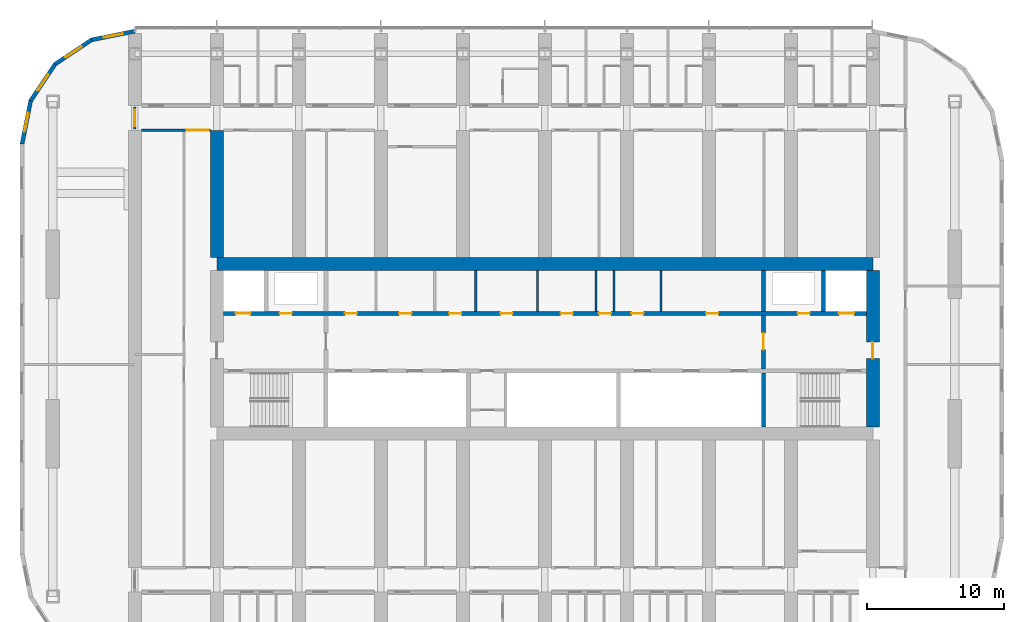
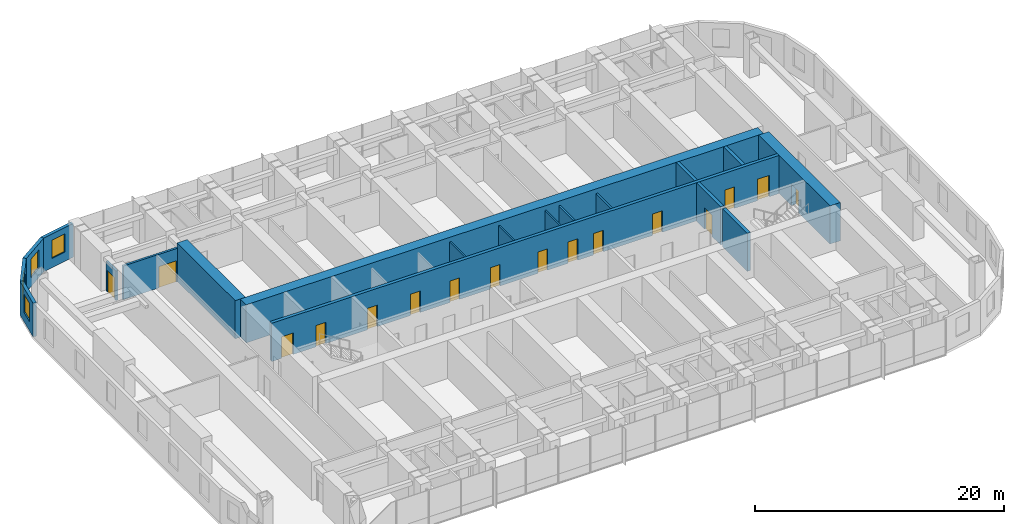
# One storey, part 12 of 21: 19 walls, 16 doors, 4 windows, 20 openings.
"""IFC4 building model written with IfcOpenShell, lengths in metres."""

from ifc_helpers import new_model, si_unit, direction, frame, frame_2d, origin, place, context, subcontext, project, spatial, polyline, rectangle, outline, extrude, material, layer, layer_set, type_object, element, fill, save


model = new_model("IFC4")

# Units and contexts
model_context = context("Model", 3, precision=1e-05, world=origin(), true_north=direction((0.0, 1.0)))
body_context = subcontext(model_context, "Body", "Model", "MODEL_VIEW")
ifc_project = project(units=[si_unit("LENGTHUNIT", "METRE"), si_unit("AREAUNIT", "SQUARE_METRE"), si_unit("VOLUMEUNIT", "CUBIC_METRE"), si_unit("PLANEANGLEUNIT", "RADIAN"), si_unit("MASSUNIT", "GRAM", prefix="KILO")], contexts=[model_context])

# Site, building, storey
site_placement = place(None, origin())
site = spatial("IfcSite", under=ifc_project, at=site_placement, CompositionType="ELEMENT")
building_placement = place(site_placement, origin())
building = spatial("IfcBuilding", under=site, at=building_placement, Name="Orbita Commons", CompositionType="ELEMENT")
storey_placement = place(building_placement, frame((0.0, 0.0, 110.64990234375)))
storey = spatial("IfcBuildingStorey", under=building, at=storey_placement, Name="L27", CompositionType="ELEMENT", Elevation=110.64990234375)

# Wall, openings, doors
ifc_material_1 = material(Name="Concrete C50/60", Category="concrete")
ifc_layer_1 = layer(ifc_material_1, 0.300048828125)
ifc_layer_set_1 = layer_set([ifc_layer_1], Name="Concrete C50/60")
wall_type_1 = type_object("IfcWallType", Name="Core inner wall 300 C50/60", PredefinedType="SHEAR", material=ifc_layer_set_1)
wall_1_placement = place(storey_placement, frame((18.47509765625, 34.60009765625, 0.0), z_axis=(0.0, 0.0, 1.0), x_axis=(1.0, 0.0, 0.0)))
wall_1 = element("IfcWall", 1, at=wall_1_placement, inside=storey, type_object=wall_type_1, Name="Lobby wall north L27", PredefinedType="SHEAR", context=body_context, shape_type="SweptSolid", body=[
    extrude(rectangle(XDim=47.0498046875, YDim=0.300048828125, at=frame_2d((23.52490234375, 0.0))), origin(), (0.0, 0.0, 1.0), 3.75),
])
opening_1_placement = place(wall_1_placement, frame((0.89990234375, 0.0, 0.0)))
opening_1 = element("IfcOpeningElement", 2, at=opening_1_placement, cuts=wall_1, Name="Opening LD01", PredefinedType="OPENING", context=body_context, shape_type="SweptSolid", body=[
    extrude(rectangle(XDim=1.10009765625, YDim=2.10009765625, at=frame_2d((0.550048828125, 1.050048828125))), frame((0.0, 0.159912109375, 0.0), z_axis=(0.0, -1.0, 0.0), x_axis=(1.0, 0.0, 0.0)), (0.0, 0.0, 1.0), 0.320068359375),
])
opening_2_placement = place(wall_1_placement, frame((45.050048828125, 0.0, 0.0)))
opening_2 = element("IfcOpeningElement", 3, at=opening_2_placement, cuts=wall_1, Name="Opening LD01", PredefinedType="OPENING", context=body_context, shape_type="SweptSolid", body=[
    extrude(rectangle(XDim=1.10009765625, YDim=2.10009765625, at=frame_2d((0.550048828125, 1.050048828125))), frame((0.0, 0.159912109375, 0.0), z_axis=(0.0, -1.0, 0.0), x_axis=(1.0, 0.0, 0.0)), (0.0, 0.0, 1.0), 0.320068359375),
])
opening_3_placement = place(wall_1_placement, frame((4.125, 0.0, 0.0)))
opening_3 = element("IfcOpeningElement", 4, at=opening_3_placement, cuts=wall_1, Name="Opening D03", PredefinedType="OPENING", context=body_context, shape_type="SweptSolid", body=[
    extrude(rectangle(XDim=0.89990234375, YDim=2.10009765625, at=frame_2d((0.449951171875, 1.050048828125))), frame((0.0, 0.159912109375, 0.0), z_axis=(0.0, -1.0, 0.0), x_axis=(1.0, 0.0, 0.0)), (0.0, 0.0, 1.0), 0.320068359375),
])
opening_4_placement = place(wall_1_placement, frame((42.02490234375, 0.0, 0.0)))
opening_4 = element("IfcOpeningElement", 5, at=opening_4_placement, cuts=wall_1, Name="Opening D03", PredefinedType="OPENING", context=body_context, shape_type="SweptSolid", body=[
    extrude(rectangle(XDim=0.89990234375, YDim=2.10009765625, at=frame_2d((0.449951171875, 1.050048828125))), frame((0.0, 0.159912109375, 0.0), z_axis=(0.0, -1.0, 0.0), x_axis=(1.0, 0.0, 0.0)), (0.0, 0.0, 1.0), 0.320068359375),
])
opening_5_placement = place(wall_1_placement, frame((8.900390625, 0.0, 0.0)))
opening_5 = element("IfcOpeningElement", 6, at=opening_5_placement, cuts=wall_1, Name="Opening D05", PredefinedType="OPENING", context=body_context, shape_type="SweptSolid", body=[
    extrude(rectangle(XDim=0.89990234375, YDim=2.10009765625, at=frame_2d((0.449951171875, 1.050048828125))), frame((0.0, 0.159912109375, 0.0), z_axis=(0.0, -1.0, 0.0), x_axis=(1.0, 0.0, 0.0)), (0.0, 0.0, 1.0), 0.320068359375),
])
opening_6_placement = place(wall_1_placement, frame((12.873779296875, 0.0, 0.0)))
opening_6 = element("IfcOpeningElement", 7, at=opening_6_placement, cuts=wall_1, Name="Opening D03", PredefinedType="OPENING", context=body_context, shape_type="SweptSolid", body=[
    extrude(rectangle(XDim=0.89990234375, YDim=2.10009765625, at=frame_2d((0.449951171875, 1.050048828125))), frame((0.0, 0.159912109375, 0.0), z_axis=(0.0, -1.0, 0.0), x_axis=(1.0, 0.0, 0.0)), (0.0, 0.0, 1.0), 0.320068359375),
])
opening_7_placement = place(wall_1_placement, frame((16.521240234375, 0.0, 0.0)))
opening_7 = element("IfcOpeningElement", 8, at=opening_7_placement, cuts=wall_1, Name="Opening D03", PredefinedType="OPENING", context=body_context, shape_type="SweptSolid", body=[
    extrude(rectangle(XDim=0.89990234375, YDim=2.10009765625, at=frame_2d((0.449951171875, 1.050048828125))), frame((0.0, 0.159912109375, 0.0), z_axis=(0.0, -1.0, 0.0), x_axis=(1.0, 0.0, 0.0)), (0.0, 0.0, 1.0), 0.320068359375),
])
opening_8_placement = place(wall_1_placement, frame((20.27978515625, 0.0, 0.0)))
opening_8 = element("IfcOpeningElement", 9, at=opening_8_placement, cuts=wall_1, Name="Opening D05", PredefinedType="OPENING", context=body_context, shape_type="SweptSolid", body=[
    extrude(rectangle(XDim=0.89990234375, YDim=2.10009765625, at=frame_2d((0.449951171875, 1.050048828125))), frame((0.0, 0.159912109375, 0.0), z_axis=(0.0, -1.0, 0.0), x_axis=(1.0, 0.0, 0.0)), (0.0, 0.0, 1.0), 0.320068359375),
])
opening_9_placement = place(wall_1_placement, frame((24.685791015625, 0.0, 0.0)))
opening_9 = element("IfcOpeningElement", 10, at=opening_9_placement, cuts=wall_1, Name="Opening D03", PredefinedType="OPENING", context=body_context, shape_type="SweptSolid", body=[
    extrude(rectangle(XDim=0.89990234375, YDim=2.10009765625, at=frame_2d((0.449951171875, 1.050048828125))), frame((0.0, 0.159912109375, 0.0), z_axis=(0.0, -1.0, 0.0), x_axis=(1.0, 0.0, 0.0)), (0.0, 0.0, 1.0), 0.320068359375),
])
opening_10_placement = place(wall_1_placement, frame((27.4833984375, 0.0, 0.0)))
opening_10 = element("IfcOpeningElement", 11, at=opening_10_placement, cuts=wall_1, Name="Opening D03", PredefinedType="OPENING", context=body_context, shape_type="SweptSolid", body=[
    extrude(rectangle(XDim=0.89990234375, YDim=2.10009765625, at=frame_2d((0.449951171875, 1.050048828125))), frame((0.0, 0.159912109375, 0.0), z_axis=(0.0, -1.0, 0.0), x_axis=(1.0, 0.0, 0.0)), (0.0, 0.0, 1.0), 0.320068359375),
])
opening_11_placement = place(wall_1_placement, frame((29.855712890625, 0.0, 0.0)))
opening_11 = element("IfcOpeningElement", 12, at=opening_11_placement, cuts=wall_1, Name="Opening D05", PredefinedType="OPENING", context=body_context, shape_type="SweptSolid", body=[
    extrude(rectangle(XDim=0.89990234375, YDim=2.10009765625, at=frame_2d((0.449951171875, 1.050048828125))), frame((0.0, 0.159912109375, 0.0), z_axis=(0.0, -1.0, 0.0), x_axis=(1.0, 0.0, 0.0)), (0.0, 0.0, 1.0), 0.320068359375),
])
opening_12_placement = place(wall_1_placement, frame((35.326416015625, 0.0, 0.0)))
opening_12 = element("IfcOpeningElement", 13, at=opening_12_placement, cuts=wall_1, Name="Opening D03", PredefinedType="OPENING", context=body_context, shape_type="SweptSolid", body=[
    extrude(rectangle(XDim=0.89990234375, YDim=2.10009765625, at=frame_2d((0.449951171875, 1.050048828125))), frame((0.0, 0.159912109375, 0.0), z_axis=(0.0, -1.0, 0.0), x_axis=(1.0, 0.0, 0.0)), (0.0, 0.0, 1.0), 0.320068359375),
])
ifc_material_2 = material(Name="Steel-faced fire door leaf", Category="steel")
door_type_1 = type_object("IfcDoorType", Name="Firefighting lift landing door 1100x2100", OperationType="DOUBLE_DOOR_SLIDING", PredefinedType="DOOR", material=ifc_material_2)
door_1_placement = place(opening_1_placement, origin())
door_1 = element("IfcDoor", 14, at=door_1_placement, inside=storey, type_object=door_type_1, Name="Firefighting lift FL1 landing door", OperationType="DOUBLE_DOOR_SLIDING", OverallHeight=2.10009765625, OverallWidth=1.10009765625, PredefinedType="DOOR", context=body_context, shape_type="SweptSolid", body=[
    extrude(rectangle(XDim=1.10009765625, YDim=2.10009765625, at=frame_2d((0.550048828125, 1.050048828125))), frame((0.0, 0.02490234375, 0.0), z_axis=(0.0, -1.0, 0.0), x_axis=(1.0, 0.0, 0.0)), (0.0, 0.0, 1.0), 0.050048828125),
])
fill(opening_1, door_1)
door_2_placement = place(opening_2_placement, origin())
door_2 = element("IfcDoor", 15, at=door_2_placement, inside=storey, type_object=door_type_1, Name="Firefighting lift FL2 landing door", OperationType="DOUBLE_DOOR_SLIDING", OverallHeight=2.10009765625, OverallWidth=1.10009765625, PredefinedType="DOOR", context=body_context, shape_type="SweptSolid", body=[
    extrude(rectangle(XDim=1.10009765625, YDim=2.10009765625, at=frame_2d((0.550048828125, 1.050048828125))), frame((0.0, 0.02490234375, 0.0), z_axis=(0.0, -1.0, 0.0), x_axis=(1.0, 0.0, 0.0)), (0.0, 0.0, 1.0), 0.050048828125),
])
fill(opening_2, door_2)
ifc_material_3 = material(Name="Steel-faced fire door leaf", Category="steel")
door_type_2 = type_object("IfcDoorType", Name="Service door 20 min 900x2100", OperationType="SINGLE_SWING_LEFT", PredefinedType="DOOR", material=ifc_material_3)
door_3_placement = place(opening_5_placement, origin())
door_3 = element("IfcDoor", 16, at=door_3_placement, inside=storey, type_object=door_type_2, Name="Staff WC door", OperationType="SINGLE_SWING_LEFT", OverallHeight=2.10009765625, OverallWidth=0.89990234375, PredefinedType="DOOR", context=body_context, shape_type="SweptSolid", body=[
    extrude(rectangle(XDim=0.89990234375, YDim=2.10009765625, at=frame_2d((0.449951171875, 1.050048828125))), frame((0.0, 0.02490234375, 0.0), z_axis=(0.0, -1.0, 0.0), x_axis=(1.0, 0.0, 0.0)), (0.0, 0.0, 1.0), 0.050048828125),
])
fill(opening_5, door_3)
door_4_placement = place(opening_8_placement, origin())
door_4 = element("IfcDoor", 17, at=door_4_placement, inside=storey, type_object=door_type_2, Name="Vending and ice room door", OperationType="SINGLE_SWING_LEFT", OverallHeight=2.10009765625, OverallWidth=0.89990234375, PredefinedType="DOOR", context=body_context, shape_type="SweptSolid", body=[
    extrude(rectangle(XDim=0.89990234375, YDim=2.10009765625, at=frame_2d((0.449951171875, 1.050048828125))), frame((0.0, 0.02490234375, 0.0), z_axis=(0.0, -1.0, 0.0), x_axis=(1.0, 0.0, 0.0)), (0.0, 0.0, 1.0), 0.050048828125),
])
fill(opening_8, door_4)
door_5_placement = place(opening_11_placement, origin())
door_5 = element("IfcDoor", 18, at=door_5_placement, inside=storey, type_object=door_type_2, Name="Accessible WC door", OperationType="SINGLE_SWING_LEFT", OverallHeight=2.10009765625, OverallWidth=0.89990234375, PredefinedType="DOOR", context=body_context, shape_type="SweptSolid", body=[
    extrude(rectangle(XDim=0.89990234375, YDim=2.10009765625, at=frame_2d((0.449951171875, 1.050048828125))), frame((0.0, 0.02490234375, 0.0), z_axis=(0.0, -1.0, 0.0), x_axis=(1.0, 0.0, 0.0)), (0.0, 0.0, 1.0), 0.050048828125),
])
fill(opening_11, door_5)
ifc_material_4 = material(Name="Steel-faced fire door leaf", Category="steel")
door_type_3 = type_object("IfcDoorType", Name="Shaft access door 90 min 900x2100", OperationType="SINGLE_SWING_LEFT", PredefinedType="DOOR", material=ifc_material_4)
door_6_placement = place(opening_3_placement, origin())
door_6 = element("IfcDoor", 19, at=door_6_placement, inside=storey, type_object=door_type_3, Name="Riser door west", OperationType="SINGLE_SWING_LEFT", OverallHeight=2.10009765625, OverallWidth=0.89990234375, PredefinedType="DOOR", context=body_context, shape_type="SweptSolid", body=[
    extrude(rectangle(XDim=0.89990234375, YDim=2.10009765625, at=frame_2d((0.449951171875, 1.050048828125))), frame((0.0, 0.02490234375, 0.0), z_axis=(0.0, -1.0, 0.0), x_axis=(1.0, 0.0, 0.0)), (0.0, 0.0, 1.0), 0.050048828125),
])
fill(opening_3, door_6)
door_7_placement = place(opening_4_placement, origin())
door_7 = element("IfcDoor", 20, at=door_7_placement, inside=storey, type_object=door_type_3, Name="Riser door east", OperationType="SINGLE_SWING_LEFT", OverallHeight=2.10009765625, OverallWidth=0.89990234375, PredefinedType="DOOR", context=body_context, shape_type="SweptSolid", body=[
    extrude(rectangle(XDim=0.89990234375, YDim=2.10009765625, at=frame_2d((0.449951171875, 1.050048828125))), frame((0.0, 0.02490234375, 0.0), z_axis=(0.0, -1.0, 0.0), x_axis=(1.0, 0.0, 0.0)), (0.0, 0.0, 1.0), 0.050048828125),
])
fill(opening_4, door_7)
door_8_placement = place(opening_6_placement, origin())
door_8 = element("IfcDoor", 21, at=door_8_placement, inside=storey, type_object=door_type_3, Name="Refuse chute room door", OperationType="SINGLE_SWING_LEFT", OverallHeight=2.10009765625, OverallWidth=0.89990234375, PredefinedType="DOOR", context=body_context, shape_type="SweptSolid", body=[
    extrude(rectangle(XDim=0.89990234375, YDim=2.10009765625, at=frame_2d((0.449951171875, 1.050048828125))), frame((0.0, 0.02490234375, 0.0), z_axis=(0.0, -1.0, 0.0), x_axis=(1.0, 0.0, 0.0)), (0.0, 0.0, 1.0), 0.050048828125),
])
fill(opening_6, door_8)
door_9_placement = place(opening_7_placement, origin())
door_9 = element("IfcDoor", 22, at=door_9_placement, inside=storey, type_object=door_type_3, Name="Electrical riser room door", OperationType="SINGLE_SWING_LEFT", OverallHeight=2.10009765625, OverallWidth=0.89990234375, PredefinedType="DOOR", context=body_context, shape_type="SweptSolid", body=[
    extrude(rectangle(XDim=0.89990234375, YDim=2.10009765625, at=frame_2d((0.449951171875, 1.050048828125))), frame((0.0, 0.02490234375, 0.0), z_axis=(0.0, -1.0, 0.0), x_axis=(1.0, 0.0, 0.0)), (0.0, 0.0, 1.0), 0.050048828125),
])
fill(opening_7, door_9)
door_10_placement = place(opening_9_placement, origin())
door_10 = element("IfcDoor", 23, at=door_10_placement, inside=storey, type_object=door_type_3, Name="Communications room door", OperationType="SINGLE_SWING_LEFT", OverallHeight=2.10009765625, OverallWidth=0.89990234375, PredefinedType="DOOR", context=body_context, shape_type="SweptSolid", body=[
    extrude(rectangle(XDim=0.89990234375, YDim=2.10009765625, at=frame_2d((0.449951171875, 1.050048828125))), frame((0.0, 0.02490234375, 0.0), z_axis=(0.0, -1.0, 0.0), x_axis=(1.0, 0.0, 0.0)), (0.0, 0.0, 1.0), 0.050048828125),
])
fill(opening_9, door_10)
door_11_placement = place(opening_10_placement, origin())
door_11 = element("IfcDoor", 24, at=door_11_placement, inside=storey, type_object=door_type_3, Name="Stair pressurisation duct door", OperationType="SINGLE_SWING_LEFT", OverallHeight=2.10009765625, OverallWidth=0.89990234375, PredefinedType="DOOR", context=body_context, shape_type="SweptSolid", body=[
    extrude(rectangle(XDim=0.89990234375, YDim=2.10009765625, at=frame_2d((0.449951171875, 1.050048828125))), frame((0.0, 0.02490234375, 0.0), z_axis=(0.0, -1.0, 0.0), x_axis=(1.0, 0.0, 0.0)), (0.0, 0.0, 1.0), 0.050048828125),
])
fill(opening_10, door_11)
door_12_placement = place(opening_12_placement, origin())
door_12 = element("IfcDoor", 25, at=door_12_placement, inside=storey, type_object=door_type_3, Name="Linen and housekeeping store door", OperationType="SINGLE_SWING_LEFT", OverallHeight=2.10009765625, OverallWidth=0.89990234375, PredefinedType="DOOR", context=body_context, shape_type="SweptSolid", body=[
    extrude(rectangle(XDim=0.89990234375, YDim=2.10009765625, at=frame_2d((0.449951171875, 1.050048828125))), frame((0.0, 0.02490234375, 0.0), z_axis=(0.0, -1.0, 0.0), x_axis=(1.0, 0.0, 0.0)), (0.0, 0.0, 1.0), 0.050048828125),
])
fill(opening_12, door_12)

# Wall
wall_2_placement = place(storey_placement, frame((58.0, 26.27490234375, 0.0), z_axis=(0.0, 0.0, 1.0), x_axis=(0.0, 1.0, 0.0)))
element("IfcWall", 26, at=wall_2_placement, inside=storey, type_object=wall_type_1, Name="Stair S2 wall L27", PredefinedType="SHEAR", context=body_context, shape_type="SweptSolid", body=[
    extrude(rectangle(XDim=3.97509765625, YDim=0.300048828125, at=frame_2d((1.987548828125, 0.0))), origin(), (0.0, 0.0, 1.0), 3.75),
])

# Wall, opening, door
wall_3_placement = place(storey_placement, frame((58.0, 30.550048828125, 0.0), z_axis=(0.0, 0.0, 1.0), x_axis=(0.0, 1.0, 0.0)))
wall_3 = element("IfcWall", 27, at=wall_3_placement, inside=storey, type_object=wall_type_1, Name="Firefighting lobby wall east L27", PredefinedType="SHEAR", context=body_context, shape_type="SweptSolid", body=[
    extrude(rectangle(XDim=3.89990234375, YDim=0.300048828125, at=frame_2d((1.949951171875, 0.0))), origin(), (0.0, 0.0, 1.0), 3.75),
])
opening_13_placement = place(wall_3_placement, frame((1.39990234375, 0.0, 0.0)))
opening_13 = element("IfcOpeningElement", 28, at=opening_13_placement, cuts=wall_3, Name="Opening D04", PredefinedType="OPENING", context=body_context, shape_type="SweptSolid", body=[
    extrude(rectangle(XDim=1.199951171875, YDim=2.10009765625, at=frame_2d((0.60009765625, 1.050048828125))), frame((0.0, 0.159912109375, 0.0), z_axis=(0.0, -1.0, 0.0), x_axis=(1.0, 0.0, 0.0)), (0.0, 0.0, 1.0), 0.320068359375),
])
ifc_material_5 = material(Name="Steel-faced fire door leaf", Category="steel")
door_type_4 = type_object("IfcDoorType", Name="Service door 20 min 1200x2100", OperationType="SINGLE_SWING_LEFT", PredefinedType="DOOR", material=ifc_material_5)
door_13_placement = place(opening_13_placement, origin())
door_13 = element("IfcDoor", 29, at=door_13_placement, inside=storey, type_object=door_type_4, Name="Lift lobby door east", OperationType="SINGLE_SWING_LEFT", OverallHeight=2.10009765625, OverallWidth=1.199951171875, PredefinedType="DOOR", context=body_context, shape_type="SweptSolid", body=[
    extrude(rectangle(XDim=1.199951171875, YDim=2.10009765625, at=frame_2d((0.60009765625, 1.050048828125))), frame((0.0, 0.02490234375, 0.0), z_axis=(0.0, -1.0, 0.0), x_axis=(1.0, 0.0, 0.0)), (0.0, 0.0, 1.0), 0.050048828125),
])
fill(opening_13, door_13)

# Walls
for number, where, z_axis, x_axis, name in (
    (30, (62.39990234375, 34.75, 0.0), (0.0, 0.0, 1.0), (0.0, 1.0, 0.0), "Firefighting lift FL2 shaft wall L27"),
    (31, (58.0, 34.75, 0.0), (0.0, 0.0, 1.0), (0.0, 1.0, 0.0), "Riser wall east L27"),
):
    element("IfcWall", number, at=place(storey_placement, frame(where, z_axis=z_axis, x_axis=x_axis)), inside=storey, type_object=wall_type_1, Name=name, PredefinedType="SHEAR", context=body_context, shape_type="SweptSolid", body=[
        extrude(rectangle(XDim=2.97509765625, YDim=0.300048828125, at=frame_2d((1.487548828125, 0.0))), origin(), (0.0, 0.0, 1.0), 3.75),
    ])
ifc_material_6 = material(Name="Concrete blockwork", Category="masonry")
ifc_layer_2 = layer(ifc_material_6, 0.14990234375)
ifc_layer_set_2 = layer_set([ifc_layer_2], Name="Concrete blockwork")
wall_type_2 = type_object("IfcWallType", Name="Core partition 150 blockwork", PredefinedType="SOLIDWALL", material=ifc_layer_set_2)
for number, where, z_axis, x_axis, name in (
    (32, (36.9462890625, 34.75, 0.0), (0.0, 0.0, 1.0), (0.0, 1.0, 0.0), "Core partition 150 blockwork L27"),
    (33, (41.463134765625, 34.75, 0.0), (0.0, 0.0, 1.0), (0.0, 1.0, 0.0), "Core partition 150 blockwork L27"),
    (34, (45.75830078125, 34.75, 0.0), (0.0, 0.0, 1.0), (0.0, 1.0, 0.0), "Core partition 150 blockwork L27"),
    (35, (47.058349609375, 34.75, 0.0), (0.0, 0.0, 1.0), (0.0, 1.0, 0.0), "Core partition 150 blockwork L27"),
    (36, (50.5029296875, 34.75, 0.0), (0.0, 0.0, 1.0), (0.0, 1.0, 0.0), "Core partition 150 blockwork L27"),
):
    element("IfcWall", number, at=place(storey_placement, frame(where, z_axis=z_axis, x_axis=x_axis)), inside=storey, type_object=wall_type_2, Name=name, PredefinedType="SOLIDWALL", context=body_context, shape_type="SweptSolid", body=[
        extrude(rectangle(XDim=2.97509765625, YDim=0.14990234375, at=frame_2d((1.487548828125, 0.0))), origin(), (0.0, 0.0, 1.0), 3.300048828125),
    ])
ifc_material_7 = material(Name="Concrete C50/60", Category="concrete")
ifc_layer_3 = layer(ifc_material_7, 0.949951171875)
ifc_layer_set_3 = layer_set([ifc_layer_3], Name="Concrete C50/60")
wall_type_3 = type_object("IfcWallType", Name="Core wall 950 C50/60", PredefinedType="SHEAR", material=ifc_layer_set_3)
wall_4_placement = place(storey_placement, frame((18.0, 38.199951171875, 0.0), z_axis=(0.0, 0.0, 1.0), x_axis=(1.0, 0.0, 0.0)))
element("IfcWall", 37, at=wall_4_placement, inside=storey, type_object=wall_type_3, Name="Core spine wall north L27", PredefinedType="SHEAR", context=body_context, shape_type="SweptSolid", body=[
    extrude(rectangle(XDim=48.0, YDim=0.949951171875, at=frame_2d((24.0, 0.0))), origin(), (0.0, 0.0, 1.0), 3.75),
])

# Wall, opening, door
wall_5_placement = place(storey_placement, frame((66.0, 26.27490234375, 0.0), z_axis=(0.0, 0.0, 1.0), x_axis=(0.0, 1.0, 0.0)))
wall_5 = element("IfcWall", 38, at=wall_5_placement, inside=storey, type_object=wall_type_3, Name="Core end wall east L27", PredefinedType="SHEAR", context=body_context, shape_type="SweptSolid", body=[
    extrude(rectangle(XDim=11.4501953125, YDim=0.949951171875, at=frame_2d((5.72509765625, 0.0))), origin(), (0.0, 0.0, 1.0), 3.75),
])
opening_14_placement = place(wall_5_placement, frame((5.02490234375, 0.0, 0.0)))
opening_14 = element("IfcOpeningElement", 39, at=opening_14_placement, cuts=wall_5, Name="Opening D01", PredefinedType="OPENING", context=body_context, shape_type="SweptSolid", body=[
    extrude(rectangle(XDim=1.199951171875, YDim=2.10009765625, at=frame_2d((0.60009765625, 1.050048828125))), frame((0.0, 0.48486328125, 0.0), z_axis=(0.0, -1.0, 0.0), x_axis=(1.0, 0.0, 0.0)), (0.0, 0.0, 1.0), 0.969970703125),
])
ifc_material_8 = material(Name="Steel-faced fire door leaf", Category="steel")
door_type_5 = type_object("IfcDoorType", Name="Fire door 90 min 1200x2100", OperationType="SINGLE_SWING_LEFT", PredefinedType="DOOR", material=ifc_material_8)
door_14_placement = place(opening_14_placement, origin())
door_14 = element("IfcDoor", 40, at=door_14_placement, inside=storey, type_object=door_type_5, Name="Firefighting lobby east door", OperationType="SINGLE_SWING_LEFT", OverallHeight=2.10009765625, OverallWidth=1.199951171875, PredefinedType="DOOR", context=body_context, shape_type="SweptSolid", body=[
    extrude(rectangle(XDim=1.199951171875, YDim=2.10009765625, at=frame_2d((0.60009765625, 1.050048828125))), frame((0.0, 0.02490234375, 0.0), z_axis=(0.0, -1.0, 0.0), x_axis=(1.0, 0.0, 0.0)), (0.0, 0.0, 1.0), 0.050048828125),
])
fill(opening_14, door_14)

ifc_material_9 = material(Name="Concrete blockwork", Category="masonry")
ifc_layer_4 = layer(ifc_material_9, 0.199951171875)
ifc_layer_set_4 = layer_set([ifc_layer_4], Name="Concrete blockwork")
wall_type_4 = type_object("IfcWallType", Name="Corridor wall 200 blockwork", PredefinedType="SOLIDWALL", material=ifc_layer_set_4)
wall_6_placement = place(storey_placement, frame((12.0, 48.10009765625, 0.0), z_axis=(0.0, 0.0, 1.0), x_axis=(0.0, 1.0, 0.0)))
wall_6 = element("IfcWall", 41, at=wall_6_placement, inside=storey, type_object=wall_type_4, Name="Corridor wall 200 blockwork L27", PredefinedType="SOLIDWALL", context=body_context, shape_type="SweptSolid", body=[
    extrude(outline(polyline([(0.0, 0.0), (1.599853515625, 0.0), (1.60009765625, 2.900146484375), (0.0, 2.900146484375), (0.0, 0.0)])), frame((0.0, 0.10009765625, 0.0), z_axis=(0.0, -1.0, 0.0), x_axis=(1.0, 0.0, 0.0)), (0.0, 0.0, 1.0), 0.199951171875),
])
opening_15_placement = place(wall_6_placement, frame((0.199951171875, 0.0, 0.0)))
opening_15 = element("IfcOpeningElement", 42, at=opening_15_placement, cuts=wall_6, Name="Opening D12", PredefinedType="OPENING", context=body_context, shape_type="SweptSolid", body=[
    extrude(rectangle(XDim=1.199951171875, YDim=2.10009765625, at=frame_2d((0.60009765625, 1.050048828125))), frame((0.0, 0.10986328125, 0.0), z_axis=(0.0, -1.0, 0.0), x_axis=(1.0, 0.0, 0.0)), (0.0, 0.0, 1.0), 0.219970703125),
])
ifc_material_10 = material(Name="Steel-faced fire door leaf", Category="steel")
door_type_6 = type_object("IfcDoorType", Name="Double corridor door 20 min 1200x2100", OperationType="DOUBLE_DOOR_SINGLE_SWING", PredefinedType="DOOR", material=ifc_material_10)
door_15_placement = place(opening_15_placement, origin())
door_15 = element("IfcDoor", 43, at=door_15_placement, inside=storey, type_object=door_type_6, Name="Lounge doors", OperationType="DOUBLE_DOOR_SINGLE_SWING", OverallHeight=2.10009765625, OverallWidth=1.199951171875, PredefinedType="DOOR", context=body_context, shape_type="SweptSolid", body=[
    extrude(rectangle(XDim=1.199951171875, YDim=2.10009765625, at=frame_2d((0.60009765625, 1.050048828125))), frame((0.0, 0.02490234375, 0.0), z_axis=(0.0, -1.0, 0.0), x_axis=(1.0, 0.0, 0.0)), (0.0, 0.0, 1.0), 0.050048828125),
])
fill(opening_15, door_15)

ifc_material_11 = material(Name="Hollow concrete block 200", Category="concrete")
ifc_layer_5 = layer(ifc_material_11, 0.199951171875)
ifc_layer_set_5 = layer_set([ifc_layer_5], Name="Hollow concrete block 200")
wall_type_5 = type_object("IfcWallType", Name="Corridor wall 200 hollow concrete block", PredefinedType="SOLIDWALL", material=ifc_layer_set_5)
wall_7_placement = place(storey_placement, frame((12.47509765625, 48.0, 0.0), z_axis=(0.0, 0.0, 1.0), x_axis=(1.0, 0.0, 0.0)))
wall_7 = element("IfcWall", 44, at=wall_7_placement, inside=storey, type_object=wall_type_5, Name="Corridor wall 200 hollow concrete block L27", PredefinedType="SOLIDWALL", context=body_context, shape_type="SweptSolid", body=[
    extrude(rectangle(XDim=5.0498046875, YDim=0.199951171875, at=frame_2d((2.52490234375, 0.0))), origin(), (0.0, 0.0, 1.0), 3.300048828125),
])
opening_16_placement = place(wall_7_placement, frame((3.324951171875, 0.0, 0.0)))
opening_16 = element("IfcOpeningElement", 45, at=opening_16_placement, cuts=wall_7, Name="Opening D10", PredefinedType="OPENING", context=body_context, shape_type="SweptSolid", body=[
    extrude(rectangle(XDim=1.60009765625, YDim=2.10009765625, at=frame_2d((0.800048828125, 1.050048828125))), frame((0.0, 0.10986328125, 0.0), z_axis=(0.0, -1.0, 0.0), x_axis=(1.0, 0.0, 0.0)), (0.0, 0.0, 1.0), 0.219970703125),
])
ifc_material_12 = material(Name="Steel-faced fire door leaf", Category="steel")
door_type_7 = type_object("IfcDoorType", Name="Double corridor door 20 min 1600x2100", OperationType="DOUBLE_DOOR_SINGLE_SWING", PredefinedType="DOOR", material=ifc_material_12)
door_16_placement = place(opening_16_placement, origin())
door_16 = element("IfcDoor", 46, at=door_16_placement, inside=storey, type_object=door_type_7, Name="Cross corridor doors", OperationType="DOUBLE_DOOR_SINGLE_SWING", OverallHeight=2.10009765625, OverallWidth=1.60009765625, PredefinedType="DOOR", context=body_context, shape_type="SweptSolid", body=[
    extrude(rectangle(XDim=1.60009765625, YDim=2.10009765625, at=frame_2d((0.800048828125, 1.050048828125))), frame((0.0, 0.02490234375, 0.0), z_axis=(0.0, -1.0, 0.0), x_axis=(1.0, 0.0, 0.0)), (0.0, 0.0, 1.0), 0.050048828125),
])
fill(opening_16, door_16)

# Wall
ifc_material_13 = material(Name="Concrete C50/60", Category="concrete")
ifc_layer_6 = layer(ifc_material_13, 0.949951171875)
ifc_layer_set_6 = layer_set([ifc_layer_6], Name="Concrete C50/60")
wall_type_6 = type_object("IfcWallType", Name="Cross wall 950 C50/60", PredefinedType="SHEAR", material=ifc_layer_set_6)
wall_8_placement = place(storey_placement, frame((18.0, 38.675048828125, 0.0), z_axis=(0.0, 0.0, 1.0), x_axis=(0.0, 1.0, 0.0)))
element("IfcWall", 47, at=wall_8_placement, inside=storey, type_object=wall_type_6, Name="Cross wall 4 north inner L27", PredefinedType="SHEAR", context=body_context, shape_type="SweptSolid", body=[
    extrude(rectangle(XDim=9.324951171875, YDim=0.949951171875, at=frame_2d((4.66259765625, 0.0))), origin(), (0.0, 0.0, 1.0), 3.75),
])

# Wall, opening, window
ifc_material_14 = material(Name="Precast concrete C40/50, white board-marked finish", Category="concrete")
ifc_layer_7 = layer(ifc_material_14, 0.300048828125)
ifc_layer_set_7 = layer_set([ifc_layer_7], Name="Precast concrete C40/50, white board-marked finish")
wall_type_7 = type_object("IfcWallType", Name="Precast concrete end shield 300", PredefinedType="SOLIDWALL", material=ifc_layer_set_7)
wall_9_placement = place(storey_placement, frame((12.0, 55.25, 0.0), z_axis=(0.0, 0.0, 1.0), x_axis=(-0.980787251524, -0.195080412259, 0.0)))
wall_9 = element("IfcWall", 48, at=wall_9_placement, inside=storey, type_object=wall_type_7, Name="End shield NW chord 1 L27", PredefinedType="SOLIDWALL", context=body_context, shape_type="SweptSolid", body=[
    extrude(outline(polyline([(-0.02978515625, -0.14990234375), (3.24853515625, -0.14990234375), (3.18896484375, 0.14990234375), (0.02978515625, 0.14990234375), (-0.02978515625, -0.14990234375)])), origin(), (0.0, 0.0, 1.0), 3.300048828125),
])
opening_17_placement = place(wall_9_placement, frame((0.909423828125, 0.0, 0.89990234375)))
opening_17 = element("IfcOpeningElement", 49, at=opening_17_placement, cuts=wall_9, Name="Opening W02", PredefinedType="OPENING", context=body_context, shape_type="SweptSolid", body=[
    extrude(rectangle(XDim=1.39990234375, YDim=1.800048828125, at=frame_2d((0.699951171875, 0.89990234375))), frame((0.0, 0.159912109375, 0.0), z_axis=(0.0, -1.0, 0.0), x_axis=(1.0, 0.0, 0.0)), (0.0, 0.0, 1.0), 0.320068359375),
])
ifc_material_15 = material(Name="Aluminium frame, clear double glazing", Category="aluminium")
window_type = type_object("IfcWindowType", Name="Deep-set window 1400x1800", PartitioningType="SINGLE_PANEL", PredefinedType="WINDOW", material=ifc_material_15)
window_1_placement = place(opening_17_placement, origin())
window_1 = element("IfcWindow", 50, at=window_1_placement, inside=storey, type_object=window_type, Name="Window L27-NW0", OverallHeight=1.800048828125, OverallWidth=1.39990234375, PartitioningType="SINGLE_PANEL", PredefinedType="WINDOW", context=body_context, shape_type="SweptSolid", body=[
    extrude(rectangle(XDim=1.39990234375, YDim=1.800048828125, at=frame_2d((0.699951171875, 0.89990234375))), frame((0.0, 0.030029296875, 0.0), z_axis=(0.0, -1.0, 0.0), x_axis=(1.0, 0.0, 0.0)), (0.0, 0.0, 1.0), 0.06005859375),
])
fill(opening_17, window_1)

wall_10_placement = place(storey_placement, frame((8.843017578125, 54.6220703125, 0.0), z_axis=(0.0, 0.0, 1.0), x_axis=(-0.831443069936, -0.555609954424, 0.0)))
wall_10 = element("IfcWall", 51, at=wall_10_placement, inside=storey, type_object=wall_type_7, Name="End shield NW chord 2 L27", PredefinedType="SOLIDWALL", context=body_context, shape_type="SweptSolid", body=[
    extrude(outline(polyline([(-0.02978515625, -0.14990234375), (3.2490234375, -0.14990234375), (3.189453125, 0.14990234375), (0.02978515625, 0.14990234375), (-0.02978515625, -0.14990234375)])), origin(), (0.0, 0.0, 1.0), 3.300048828125),
])
opening_18_placement = place(wall_10_placement, frame((0.909423828125, 0.0, 0.89990234375)))
opening_18 = element("IfcOpeningElement", 52, at=opening_18_placement, cuts=wall_10, Name="Opening W02", PredefinedType="OPENING", context=body_context, shape_type="SweptSolid", body=[
    extrude(rectangle(XDim=1.39990234375, YDim=1.800048828125, at=frame_2d((0.699951171875, 0.89990234375))), frame((0.0, 0.159912109375, 0.0), z_axis=(0.0, -1.0, 0.0), x_axis=(1.0, 0.0, 0.0)), (0.0, 0.0, 1.0), 0.320068359375),
])
window_2_placement = place(opening_18_placement, origin())
window_2 = element("IfcWindow", 53, at=window_2_placement, inside=storey, type_object=window_type, Name="Window L27-NW1", OverallHeight=1.800048828125, OverallWidth=1.39990234375, PartitioningType="SINGLE_PANEL", PredefinedType="WINDOW", context=body_context, shape_type="SweptSolid", body=[
    extrude(rectangle(XDim=1.39990234375, YDim=1.800048828125, at=frame_2d((0.699951171875, 0.89990234375))), frame((0.0, 0.030029296875, 0.0), z_axis=(0.0, -1.0, 0.0), x_axis=(1.0, 0.0, 0.0)), (0.0, 0.0, 1.0), 0.06005859375),
])
fill(opening_18, window_2)

wall_11_placement = place(storey_placement, frame((6.16650390625, 52.83349609375, 0.0), z_axis=(0.0, 0.0, 1.0), x_axis=(-0.555609954424, -0.831443069936, 0.0)))
wall_11 = element("IfcWall", 54, at=wall_11_placement, inside=storey, type_object=wall_type_7, Name="End shield NW chord 3 L27", PredefinedType="SOLIDWALL", context=body_context, shape_type="SweptSolid", body=[
    extrude(outline(polyline([(-0.02978515625, -0.14990234375), (3.2490234375, -0.14990234375), (3.189453125, 0.14990234375), (0.02978515625, 0.14990234375), (-0.02978515625, -0.14990234375)])), origin(), (0.0, 0.0, 1.0), 3.300048828125),
])
opening_19_placement = place(wall_11_placement, frame((0.909423828125, 0.0, 0.89990234375)))
opening_19 = element("IfcOpeningElement", 55, at=opening_19_placement, cuts=wall_11, Name="Opening W02", PredefinedType="OPENING", context=body_context, shape_type="SweptSolid", body=[
    extrude(rectangle(XDim=1.39990234375, YDim=1.800048828125, at=frame_2d((0.699951171875, 0.89990234375))), frame((0.0, 0.159912109375, 0.0), z_axis=(0.0, -1.0, 0.0), x_axis=(1.0, 0.0, 0.0)), (0.0, 0.0, 1.0), 0.320068359375),
])
window_3_placement = place(opening_19_placement, origin())
window_3 = element("IfcWindow", 56, at=window_3_placement, inside=storey, type_object=window_type, Name="Window L27-NW2", OverallHeight=1.800048828125, OverallWidth=1.39990234375, PartitioningType="SINGLE_PANEL", PredefinedType="WINDOW", context=body_context, shape_type="SweptSolid", body=[
    extrude(rectangle(XDim=1.39990234375, YDim=1.800048828125, at=frame_2d((0.699951171875, 0.89990234375))), frame((0.0, 0.030029296875, 0.0), z_axis=(0.0, -1.0, 0.0), x_axis=(1.0, 0.0, 0.0)), (0.0, 0.0, 1.0), 0.06005859375),
])
fill(opening_19, window_3)

wall_12_placement = place(storey_placement, frame((4.3779296875, 50.156982421875, 0.0), z_axis=(0.0, 0.0, 1.0), x_axis=(-0.195080412259, -0.980787251524, 0.0)))
wall_12 = element("IfcWall", 57, at=wall_12_placement, inside=storey, type_object=wall_type_7, Name="End shield NW chord 4 L27", PredefinedType="SOLIDWALL", context=body_context, shape_type="SweptSolid", body=[
    extrude(outline(polyline([(-0.02978515625, -0.14990234375), (3.233642578125, -0.14990234375), (3.203857421875, 0.14990234375), (0.02978515625, 0.14990234375), (-0.02978515625, -0.14990234375)])), origin(), (0.0, 0.0, 1.0), 3.300048828125),
])
opening_20_placement = place(wall_12_placement, frame((0.909423828125, 0.0, 0.89990234375)))
opening_20 = element("IfcOpeningElement", 58, at=opening_20_placement, cuts=wall_12, Name="Opening W02", PredefinedType="OPENING", context=body_context, shape_type="SweptSolid", body=[
    extrude(rectangle(XDim=1.39990234375, YDim=1.800048828125, at=frame_2d((0.699951171875, 0.89990234375))), frame((0.0, 0.159912109375, 0.0), z_axis=(0.0, -1.0, 0.0), x_axis=(1.0, 0.0, 0.0)), (0.0, 0.0, 1.0), 0.320068359375),
])
window_4_placement = place(opening_20_placement, origin())
window_4 = element("IfcWindow", 59, at=window_4_placement, inside=storey, type_object=window_type, Name="Window L27-NW3", OverallHeight=1.800048828125, OverallWidth=1.39990234375, PartitioningType="SINGLE_PANEL", PredefinedType="WINDOW", context=body_context, shape_type="SweptSolid", body=[
    extrude(rectangle(XDim=1.39990234375, YDim=1.800048828125, at=frame_2d((0.699951171875, 0.89990234375))), frame((0.0, 0.030029296875, 0.0), z_axis=(0.0, -1.0, 0.0), x_axis=(1.0, 0.0, 0.0)), (0.0, 0.0, 1.0), 0.06005859375),
])
fill(opening_20, window_4)

save(model, "model.ifc")
